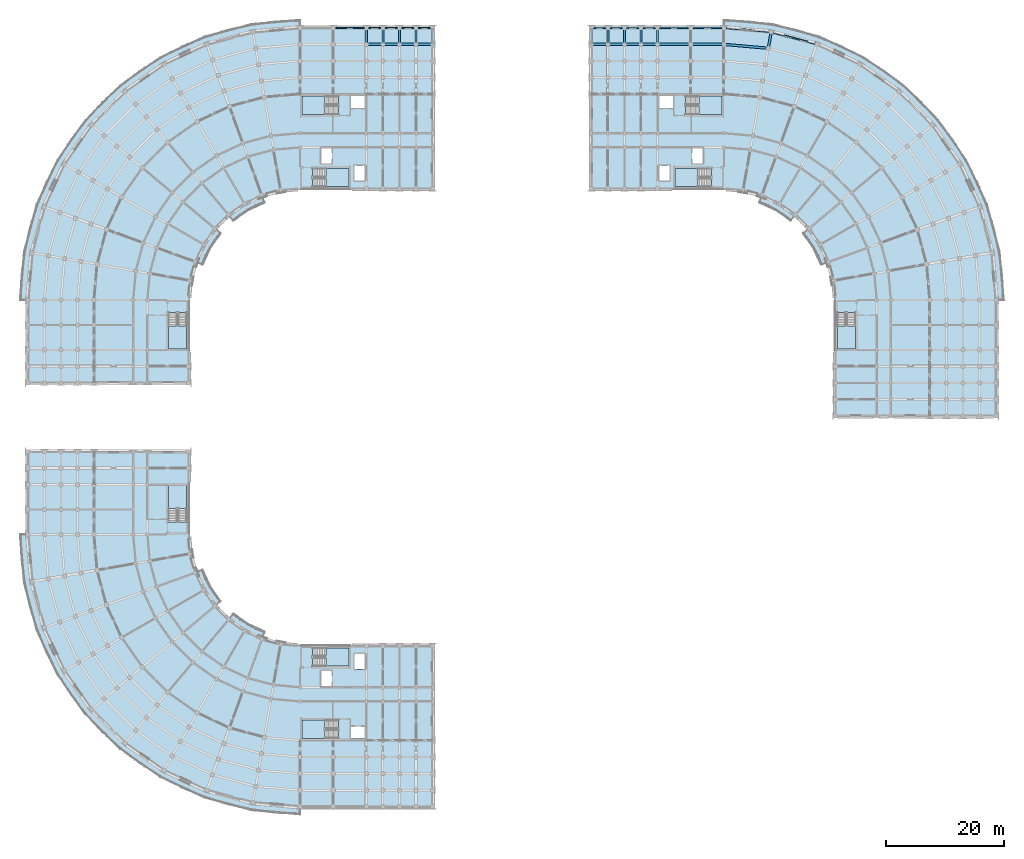
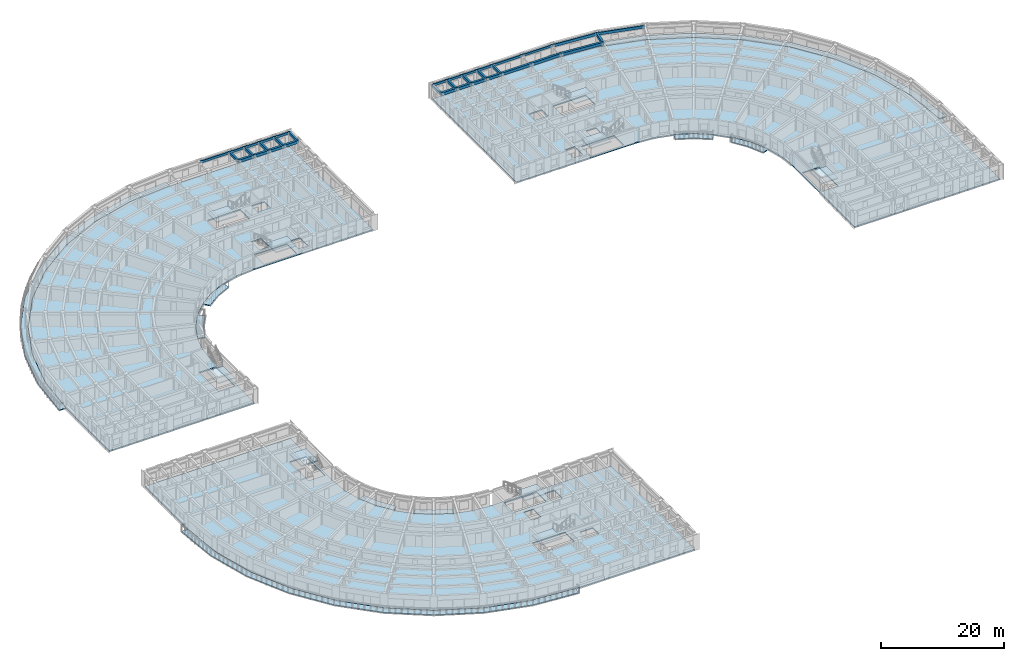
# One storey, part 14 of 57: 35 beams, 21 slabs, 9 elements without a shape of their own.
"""IFC4 building model written with IfcOpenShell, lengths in metres."""

import ifcopenshell
import ifcopenshell.guid

model = None  # the IFC model being written
_history = None  # IfcOwnerHistory: only IFC2X3 demands one
_inside = {}  # id of a spatial element -> (the spatial element, [elements in it])
_under = {}  # id of a project, library or spatial element -> (it, [spatial elements below it])
_declared = {}  # id of a project -> (the project, [libraries it declares])
_typed = {}  # id of a type object -> (the type object, [elements of that type])
_made_of = {}  # id of a material, layer set ... -> (it, [elements and type objects made of it])


def new_model(schema):
    """Start an empty IFC model of exactly this schema.

    Asked for "IFC4X3", IfcOpenShell would pick the latest addendum, in which some entities
    have other attributes; the version numbers below select the first issue.
    IFC2X3 requires an IfcOwnerHistory on every rooted entity: one is made here for all.
    """
    global model, _history
    if schema == "IFC4X3":
        model = ifcopenshell.file(schema_version=(4, 3, 0, 0))
    else:
        model = ifcopenshell.file(schema=schema)
    _inside.clear()
    _under.clear()
    _declared.clear()
    _typed.clear()
    _made_of.clear()
    _history = None
    if model.schema == "IFC2X3":
        org = make("IfcOrganization", Name="unknown")
        user = make(
            "IfcPersonAndOrganization",
            ThePerson=make("IfcPerson", FamilyName="unknown"),
            TheOrganization=org,
        )
        app = make(
            "IfcApplication",
            ApplicationDeveloper=org,
            Version="unknown",
            ApplicationFullName="unknown",
            ApplicationIdentifier="unknown",
        )
        _history = make(
            "IfcOwnerHistory",
            OwningUser=user,
            OwningApplication=app,
            ChangeAction="ADDED",
            CreationDate=0,
        )
    return model


def make(cls, **values):
    """One entity of the class cls with the attributes given. An attribute that is None is left unset."""
    return model.create_entity(
        cls, **{name: value for name, value in values.items() if value is not None}
    )


def rooted(cls, **values):
    """An entity with a GlobalId (a new one), such as an element, a storey or a relation."""
    return make(cls, GlobalId=ifcopenshell.guid.new(), OwnerHistory=_history, **values)


def si_unit(unit_type, name, prefix=None):
    """IfcSIUnit, for example si_unit("LENGTHUNIT", "METRE", prefix="MILLI")."""
    return make("IfcSIUnit", UnitType=unit_type, Prefix=prefix, Name=name)


def assignment(units):
    """IfcUnitAssignment: the units of a project."""
    return None if units is None else make("IfcUnitAssignment", Units=units)


def point(xyz):
    """IfcCartesianPoint."""
    return None if xyz is None else make("IfcCartesianPoint", Coordinates=xyz)


def direction(xyz):
    """IfcDirection."""
    return None if xyz is None else make("IfcDirection", DirectionRatios=xyz)


def frame(location, z_axis=None, x_axis=None):
    """IfcAxis2Placement3D, a coordinate frame: its origin and axes. An axis left out is left unset."""
    return make(
        "IfcAxis2Placement3D",
        Location=point(location),
        Axis=direction(z_axis),
        RefDirection=direction(x_axis),
    )


def frame_2d(location, x_axis=None):
    """IfcAxis2Placement2D, a coordinate frame in the plane: its origin and x axis."""
    return make(
        "IfcAxis2Placement2D", Location=point(location), RefDirection=direction(x_axis)
    )


def origin():
    """The frame at (0, 0, 0) with its axes left unset."""
    return frame((0.0, 0.0, 0.0))


def origin_2d():
    """The frame at (0, 0) in the plane with its x axis left unset."""
    return frame_2d((0.0, 0.0))


def place(relative_to, where):
    """IfcLocalPlacement: puts the frame where relative to a parent placement (None: the world)."""
    return make(
        "IfcLocalPlacement", PlacementRelTo=relative_to, RelativePlacement=where
    )


def context(
    kind, dimensions, precision=None, world=None, true_north=None, identifier=None
):
    """IfcGeometricRepresentationContext, for example the 3D "Model" context."""
    return make(
        "IfcGeometricRepresentationContext",
        ContextIdentifier=identifier,
        ContextType=kind,
        CoordinateSpaceDimension=dimensions,
        Precision=precision,
        WorldCoordinateSystem=world,
        TrueNorth=true_north,
    )


def subcontext(parent, identifier, kind, view, scale=None):
    """IfcGeometricRepresentationSubContext, for example "Body" below "Model"."""
    return make(
        "IfcGeometricRepresentationSubContext",
        ContextIdentifier=identifier,
        ContextType=kind,
        ParentContext=parent,
        TargetScale=scale,
        TargetView=view,
    )


def project(units=None, contexts=None):
    """IfcProject with its units and contexts."""
    return rooted(
        "IfcProject",
        Name="project",
        RepresentationContexts=contexts,
        UnitsInContext=assignment(units),
    )


def spatial(cls, under=None, at=None, **own):
    """A site, building, storey or space (cls), placed at a placement, below another one or the project."""
    s = rooted(cls, ObjectPlacement=at, **own)
    if under is not None:
        _under.setdefault(under.id(), (under, []))[1].append(s)
    return s


def polyline(points):
    """IfcPolyline through the points."""
    return make("IfcPolyline", Points=[point(p) for p in points])


def profile(cls, at=None, kind="AREA", **sizes):
    """A parametric profile (cls). Its sizes go by their IFC names, for example OverallWidth=200.0."""
    return make(cls, ProfileType=kind, Position=at, **sizes)


def rectangle(**sizes):
    """IfcRectangleProfileDef."""
    return profile("IfcRectangleProfileDef", **sizes)


def outline(outer, holes=None, kind="AREA"):
    """IfcArbitraryClosedProfileDef: a profile drawn as a closed curve; with holes, ...WithVoids."""
    if holes is None:
        return make("IfcArbitraryClosedProfileDef", ProfileType=kind, OuterCurve=outer)
    return make(
        "IfcArbitraryProfileDefWithVoids",
        ProfileType=kind,
        OuterCurve=outer,
        InnerCurves=holes,
    )


def extrude(swept, where, along, depth):
    """IfcExtrudedAreaSolid: the profile swept, set in the frame where, extruded along a direction by depth."""
    return make(
        "IfcExtrudedAreaSolid",
        SweptArea=swept,
        Position=where,
        ExtrudedDirection=direction(along),
        Depth=depth,
    )


def shape(context_of_items, identifier, shape_type, items):
    """IfcShapeRepresentation: the items that make up one representation, for example the "Body"."""
    return make(
        "IfcShapeRepresentation",
        ContextOfItems=context_of_items,
        RepresentationIdentifier=identifier,
        RepresentationType=shape_type,
        Items=items,
    )


def material(Name=None, Category=None):
    """IfcMaterial."""
    return make("IfcMaterial", Name=Name, Category=Category)


def layer(
    of_material, thickness, ventilated=None, Name=None, Category=None, Priority=None
):
    """IfcMaterialLayer: one layer of a wall or slab, of a material (None: an air gap)."""
    return make(
        "IfcMaterialLayer",
        Material=of_material,
        LayerThickness=thickness,
        IsVentilated=ventilated,
        Name=Name,
        Category=Category,
        Priority=Priority,
    )


def layer_set(layers, Name=None):
    """IfcMaterialLayerSet."""
    return make("IfcMaterialLayerSet", MaterialLayers=layers, LayerSetName=Name)


def material_profile(
    of_material, cross_section, Name=None, Category=None, Priority=None
):
    """IfcMaterialProfile: a cross section and its material."""
    return make(
        "IfcMaterialProfile",
        Name=Name,
        Material=of_material,
        Profile=cross_section,
        Priority=Priority,
        Category=Category,
    )


def profile_set(profiles, Name=None, composite=None):
    """IfcMaterialProfileSet."""
    return make(
        "IfcMaterialProfileSet",
        Name=Name,
        MaterialProfiles=profiles,
        CompositeProfile=composite,
    )


def made_of(thing, what):
    """Note that an element or type object is made of a material, layer set ...; save() writes the relation."""
    if what is not None:
        _made_of.setdefault(what.id(), (what, []))[1].append(thing)
    return thing


def type_object(cls, material=None, **own):
    """A type object (cls), such as IfcWallType, which elements share."""
    return made_of(rooted(cls, **own), material)


def element(
    cls,
    number,
    at=None,
    inside=None,
    cuts=None,
    type_object=None,
    material=None,
    context=None,
    identifier="Body",
    shape_type=None,
    held_by="IfcProductDefinitionShape",
    body=None,
    shapes=None,
    **own,
):
    """One element of the class cls, such as IfcWall. Its Tag is "e" and its number.

    at: its placement. inside: the storey or other place that contains it. cuts: it is an
    opening in that element (IfcRelVoidsElement). A single representation is given by context,
    identifier, shape_type and body (its items); several are given by shapes. held_by: the class
    of the entity that holds the representations. save() writes the other relations.
    """
    e = rooted(cls, Tag="e%d" % number, ObjectPlacement=at, **own)
    if body is not None:
        shapes = [shape(context, identifier, shape_type, body)]
    if shapes is not None:
        e.Representation = make(held_by, Representations=shapes)
    if inside is not None:
        _inside.setdefault(inside.id(), (inside, []))[1].append(e)
    if cuts is not None:
        rooted(
            "IfcRelVoidsElement", RelatingBuildingElement=cuts, RelatedOpeningElement=e
        )
    if type_object is not None:
        _typed.setdefault(type_object.id(), (type_object, []))[1].append(e)
    return made_of(e, material)


def aggregate(whole, parts):
    """IfcRelAggregates: a whole, such as a stair, and the parts it consists of."""
    return rooted("IfcRelAggregates", RelatingObject=whole, RelatedObjects=parts)


def save(model, path):
    """Write the relations noted so far, then the file.

    IfcRelAggregates (storeys below a building ...), IfcRelContainedInSpatialStructure (elements
    in a storey), IfcRelDefinesByType, IfcRelAssociatesMaterial and IfcRelDeclares: one each for
    every whole, place, type object, material and project.
    """
    for whole, parts in _under.values():
        aggregate(whole, parts)
    for where, things in _inside.values():
        rooted(
            "IfcRelContainedInSpatialStructure",
            RelatedElements=things,
            RelatingStructure=where,
        )
    for kind, things in _typed.values():
        rooted("IfcRelDefinesByType", RelatedObjects=things, RelatingType=kind)
    for what, things in _made_of.values():
        rooted("IfcRelAssociatesMaterial", RelatedObjects=things, RelatingMaterial=what)
    for by, libraries in _declared.values():
        rooted("IfcRelDeclares", RelatingContext=by, RelatedDefinitions=libraries)
    model.write(path)


model = new_model("IFC4")

# Units and contexts
model_context = context("Model", 3, precision=1e-05, world=origin(), true_north=direction((0.0, 1.0)))
body_context = subcontext(model_context, "Body", "Model", "MODEL_VIEW")
ifc_project = project(units=[si_unit("LENGTHUNIT", "METRE"), si_unit("AREAUNIT", "SQUARE_METRE"), si_unit("VOLUMEUNIT", "CUBIC_METRE"), si_unit("PLANEANGLEUNIT", "RADIAN"), si_unit("MASSUNIT", "GRAM", prefix="KILO")], contexts=[model_context])

# Site, building, storey
site_placement = place(None, origin())
site = spatial("IfcSite", under=ifc_project, at=site_placement, CompositionType="ELEMENT")
building_placement = place(site_placement, origin())
building = spatial("IfcBuilding", under=site, at=building_placement, Name="Kiranvali Square Residences", CompositionType="ELEMENT")
storey_placement = place(building_placement, frame((0.0, 0.0, 18.14990234375)))
storey = spatial("IfcBuildingStorey", under=building, at=storey_placement, Name="L05", CompositionType="ELEMENT", Elevation=18.14990234375)

# Beams
ifc_material_1 = material(Name="Concrete M40 (40 MPa)", Category="concrete")
ifc_material_profile_1 = material_profile(ifc_material_1, rectangle(XDim=0.35009765625, YDim=0.550048828125, at=origin_2d()), Name="RC 350x550")
ifc_profile_set_1 = profile_set([ifc_material_profile_1], Name="Concrete M40 (40 MPa)")
beam_type_1 = type_object("IfcBeamType", Name="BM-M40-350x550", PredefinedType="BEAM", material=ifc_profile_set_1)
for number, where, z_axis, x_axis, name in (
    (1, (59.39990234375, 131.0, 2.655029296875), (0.0, 1.0, 0.0), (-1.0, 0.0, 0.0), "L05 beam BM-A-L05-A1T1-67"),
    (2, (62.199951171875, 131.0, 2.655029296875), (0.0, 1.0, 0.0), (-1.0, 0.0, 0.0), "L05 beam BM-A-L05-A1T2-67"),
    (3, (65.0, 131.0, 2.655029296875), (0.0, 1.0, 0.0), (-1.0, 0.0, 0.0), "L05 beam BM-A-L05-A1T3-67"),
    (4, (67.800048828125, 131.0, 2.655029296875), (0.0, 1.0, 0.0), (-1.0, 0.0, 0.0), "L05 beam BM-A-L05-A1T4-67"),
    (5, (70.60009765625, 131.0, 2.655029296875), (0.0, 1.0, 0.0), (-1.0, 0.0, 0.0), "L05 beam BM-A-L05-A1T5-67"),
    (6, (108.60009765625, 131.0, 2.655029296875), (0.0, 1.0, 0.0), (-1.0, 0.0, 0.0), "L05 beam BM-B-L05-A1T1-67"),
    (7, (105.800048828125, 131.0, 2.655029296875), (0.0, 1.0, 0.0), (-1.0, 0.0, 0.0), "L05 beam BM-B-L05-A1T2-67"),
    (8, (103.0, 131.0, 2.655029296875), (0.0, 1.0, 0.0), (-1.0, 0.0, 0.0), "L05 beam BM-B-L05-A1T3-67"),
    (9, (100.199951171875, 131.0, 2.655029296875), (0.0, 1.0, 0.0), (-1.0, 0.0, 0.0), "L05 beam BM-B-L05-A1T4-67"),
    (10, (97.39990234375, 131.0, 2.655029296875), (0.0, 1.0, 0.0), (-1.0, 0.0, 0.0), "L05 beam BM-B-L05-A1T5-67"),
):
    element("IfcBeam", number, at=place(storey_placement, frame(where, z_axis=z_axis, x_axis=x_axis)), inside=storey, type_object=beam_type_1, Name=name, PredefinedType="BEAM", context=body_context, shape_type="SweptSolid", body=[
        extrude(rectangle(XDim=0.35009765625, YDim=0.550048828125, at=origin_2d()), origin(), (0.0, 0.0, 1.0), 2.800048828125),
    ])
ifc_material_2 = material(Name="Concrete M45 (45 MPa)", Category="concrete")
ifc_material_profile_2 = material_profile(ifc_material_2, rectangle(XDim=0.39990234375, YDim=0.550048828125, at=origin_2d()), Name="RC 400x550")
ifc_profile_set_2 = profile_set([ifc_material_profile_2], Name="Concrete M45 (45 MPa)")
beam_type_2 = type_object("IfcBeamType", Name="BM-M45-400x550", PredefinedType="BEAM", material=ifc_profile_set_2)
for number, where, z_axis, x_axis, name in (
    (11, (59.39990234375, 131.0, 2.655029296875), (1.0, 0.0, 0.0), (0.0, 1.0, 0.0), "L05 beam BM-A-L05-A1U2-R6"),
    (12, (62.199951171875, 131.0, 2.655029296875), (1.0, 0.0, 0.0), (0.0, 1.0, 0.0), "L05 beam BM-A-L05-A1U3-R6"),
    (13, (65.0, 131.0, 2.655029296875), (1.0, 0.0, 0.0), (0.0, 1.0, 0.0), "L05 beam BM-A-L05-A1U4-R6"),
    (14, (67.800048828125, 131.0, 2.655029296875), (1.0, 0.0, 0.0), (0.0, 1.0, 0.0), "L05 beam BM-A-L05-A1U5-R6"),
):
    element("IfcBeam", number, at=place(storey_placement, frame(where, z_axis=z_axis, x_axis=x_axis)), inside=storey, type_object=beam_type_2, Name=name, PredefinedType="BEAM", context=body_context, shape_type="SweptSolid", body=[
        extrude(rectangle(XDim=0.39990234375, YDim=0.550048828125, at=origin_2d()), origin(), (0.0, 0.0, 1.0), 2.800048828125),
    ])
beam_1_placement = place(storey_placement, frame((119.800048828125, 131.0, 2.655029296875), z_axis=(0.996195195417, -0.087150058103, 0.0), x_axis=(0.087150058103, 0.996195195417, 0.0)))
element("IfcBeam", 15, at=beam_1_placement, inside=storey, type_object=beam_type_2, Name="L05 beam BM-B-L05-C00-R6", PredefinedType="BEAM", context=body_context, shape_type="SweptSolid", body=[
    extrude(rectangle(XDim=0.39990234375, YDim=0.550048828125, at=origin_2d()), origin(), (0.0, 0.0, 1.0), 7.530029296875),
])
beam_2_placement = place(storey_placement, frame((127.301513671875, 130.34375, 2.655029296875), z_axis=(0.173695795656, 0.984799355489, 0.0), x_axis=(-0.984799355489, 0.173695795656, 0.0)))
element("IfcBeam", 16, at=beam_2_placement, inside=storey, type_object=beam_type_2, Name="L05 beam BM-B-L05-RAD01-67", PredefinedType="BEAM", context=body_context, shape_type="SweptSolid", body=[
    extrude(rectangle(XDim=0.39990234375, YDim=0.550048828125, at=origin_2d()), origin(), (0.0, 0.0, 1.0), 2.7998046875),
])
beam_3_placement = place(storey_placement, frame((119.800048828125, 131.0, 2.655029296875), z_axis=(-1.0, 0.0, 0.0), x_axis=(0.0, -1.0, 0.0)))
element("IfcBeam", 17, at=beam_3_placement, inside=storey, type_object=beam_type_2, Name="L05 beam BM-B-L05-A1U0-R6", PredefinedType="BEAM", context=body_context, shape_type="SweptSolid", body=[
    extrude(rectangle(XDim=0.39990234375, YDim=0.550048828125, at=origin_2d()), origin(), (0.0, 0.0, 1.0), 5.60009765625),
])
beam_4_placement = place(storey_placement, frame((114.199951171875, 131.0, 2.655029296875), z_axis=(-1.0, 0.0, 0.0), x_axis=(0.0, -1.0, 0.0)))
element("IfcBeam", 18, at=beam_4_placement, inside=storey, type_object=beam_type_2, Name="L05 beam BM-B-L05-A1U1-R6", PredefinedType="BEAM", context=body_context, shape_type="SweptSolid", body=[
    extrude(rectangle(XDim=0.39990234375, YDim=0.550048828125, at=origin_2d()), origin(), (0.0, 0.0, 1.0), 5.599853515625),
])
for number, where, z_axis, x_axis, name in (
    (19, (108.60009765625, 131.0, 2.655029296875), (-1.0, 0.0, 0.0), (0.0, -1.0, 0.0), "L05 beam BM-B-L05-A1U2-R6"),
    (20, (105.800048828125, 131.0, 2.655029296875), (-1.0, 0.0, 0.0), (0.0, -1.0, 0.0), "L05 beam BM-B-L05-A1U3-R6"),
    (21, (103.0, 131.0, 2.655029296875), (-1.0, 0.0, 0.0), (0.0, -1.0, 0.0), "L05 beam BM-B-L05-A1U4-R6"),
    (22, (100.199951171875, 131.0, 2.655029296875), (-1.0, 0.0, 0.0), (0.0, -1.0, 0.0), "L05 beam BM-B-L05-A1U5-R6"),
):
    element("IfcBeam", number, at=place(storey_placement, frame(where, z_axis=z_axis, x_axis=x_axis)), inside=storey, type_object=beam_type_2, Name=name, PredefinedType="BEAM", context=body_context, shape_type="SweptSolid", body=[
        extrude(rectangle(XDim=0.39990234375, YDim=0.550048828125, at=origin_2d()), origin(), (0.0, 0.0, 1.0), 2.800048828125),
    ])
ifc_material_profile_3 = material_profile(ifc_material_1, rectangle(XDim=0.25, YDim=0.449951171875, at=origin_2d()), Name="RC 250x450")
ifc_profile_set_3 = profile_set([ifc_material_profile_3], Name="Concrete M40 (40 MPa)")
beam_type_3 = type_object("IfcBeamType", Name="SPN-M40-250x450", PredefinedType="SPANDREL", material=ifc_profile_set_3)
beam_5_placement = place(storey_placement, frame((53.800048828125, 133.800048828125, 2.705078125), z_axis=(1.0, 0.0, 0.0), x_axis=(0.0, 1.0, 0.0)))
element("IfcBeam", 23, at=beam_5_placement, inside=storey, type_object=beam_type_3, Name="L05 beam BM-A-L05-A1U1-R7", PredefinedType="SPANDREL", context=body_context, shape_type="SweptSolid", body=[
    extrude(rectangle(XDim=0.25, YDim=0.449951171875, at=origin_2d()), origin(), (0.0, 0.0, 1.0), 5.599853515625),
])
for number, where, z_axis, x_axis, name in (
    (24, (59.39990234375, 133.800048828125, 2.705078125), (1.0, 0.0, 0.0), (0.0, 1.0, 0.0), "L05 beam BM-A-L05-A1U2-R7"),
    (25, (62.199951171875, 133.800048828125, 2.705078125), (1.0, 0.0, 0.0), (0.0, 1.0, 0.0), "L05 beam BM-A-L05-A1U3-R7"),
    (26, (65.0, 133.800048828125, 2.705078125), (1.0, 0.0, 0.0), (0.0, 1.0, 0.0), "L05 beam BM-A-L05-A1U4-R7"),
    (27, (67.800048828125, 133.800048828125, 2.705078125), (1.0, 0.0, 0.0), (0.0, 1.0, 0.0), "L05 beam BM-A-L05-A1U5-R7"),
):
    element("IfcBeam", number, at=place(storey_placement, frame(where, z_axis=z_axis, x_axis=x_axis)), inside=storey, type_object=beam_type_3, Name=name, PredefinedType="SPANDREL", context=body_context, shape_type="SweptSolid", body=[
        extrude(rectangle(XDim=0.25, YDim=0.449951171875, at=origin_2d()), origin(), (0.0, 0.0, 1.0), 2.800048828125),
    ])
beam_6_placement = place(storey_placement, frame((119.800048828125, 133.800048828125, 2.705078125), z_axis=(-1.0, 0.0, 0.0), x_axis=(0.0, -1.0, 0.0)))
element("IfcBeam", 28, at=beam_6_placement, inside=storey, type_object=beam_type_3, Name="L05 beam BM-B-L05-A1U0-R7", PredefinedType="SPANDREL", context=body_context, shape_type="SweptSolid", body=[
    extrude(rectangle(XDim=0.25, YDim=0.449951171875, at=origin_2d()), origin(), (0.0, 0.0, 1.0), 5.60009765625),
])
beam_7_placement = place(storey_placement, frame((114.199951171875, 133.800048828125, 2.705078125), z_axis=(-1.0, 0.0, 0.0), x_axis=(0.0, -1.0, 0.0)))
element("IfcBeam", 29, at=beam_7_placement, inside=storey, type_object=beam_type_3, Name="L05 beam BM-B-L05-A1U1-R7", PredefinedType="SPANDREL", context=body_context, shape_type="SweptSolid", body=[
    extrude(rectangle(XDim=0.25, YDim=0.449951171875, at=origin_2d()), origin(), (0.0, 0.0, 1.0), 5.599853515625),
])
for number, where, z_axis, x_axis, name in (
    (30, (108.60009765625, 133.800048828125, 2.705078125), (-1.0, 0.0, 0.0), (0.0, -1.0, 0.0), "L05 beam BM-B-L05-A1U2-R7"),
    (31, (105.800048828125, 133.800048828125, 2.705078125), (-1.0, 0.0, 0.0), (0.0, -1.0, 0.0), "L05 beam BM-B-L05-A1U3-R7"),
    (32, (103.0, 133.800048828125, 2.705078125), (-1.0, 0.0, 0.0), (0.0, -1.0, 0.0), "L05 beam BM-B-L05-A1U4-R7"),
    (33, (100.199951171875, 133.800048828125, 2.705078125), (-1.0, 0.0, 0.0), (0.0, -1.0, 0.0), "L05 beam BM-B-L05-A1U5-R7"),
):
    element("IfcBeam", number, at=place(storey_placement, frame(where, z_axis=z_axis, x_axis=x_axis)), inside=storey, type_object=beam_type_3, Name=name, PredefinedType="SPANDREL", context=body_context, shape_type="SweptSolid", body=[
        extrude(rectangle(XDim=0.25, YDim=0.449951171875, at=origin_2d()), origin(), (0.0, 0.0, 1.0), 2.800048828125),
    ])
ifc_material_profile_4 = material_profile(ifc_material_1, rectangle(XDim=0.25, YDim=0.550048828125, at=origin_2d()), Name="RC 250x550")
ifc_profile_set_4 = profile_set([ifc_material_profile_4], Name="Concrete M40 (40 MPa)")
beam_type_4 = type_object("IfcBeamType", Name="SPN-M40-250x550", PredefinedType="SPANDREL", material=ifc_profile_set_4)
for number, where, z_axis, x_axis, name in (
    (34, (119.800048828125, 133.800048828125, 2.655029296875), (0.996193254792, -0.087172238171, 0.0), (0.087172238171, 0.996193254792, 0.0), "L05 beam BM-B-L05-C00-R7"),
    (35, (127.787841796875, 133.10107421875, 2.655029296875), (0.96592902462, -0.258807108475, 0.0), (0.258807108475, 0.96592902462, 0.0), "L05 beam BM-B-L05-C01-R7"),
):
    element("IfcBeam", number, at=place(storey_placement, frame(where, z_axis=z_axis, x_axis=x_axis)), inside=storey, type_object=beam_type_4, Name=name, PredefinedType="SPANDREL", context=body_context, shape_type="SweptSolid", body=[
        extrude(rectangle(XDim=0.25, YDim=0.550048828125, at=origin_2d()), origin(), (0.0, 0.0, 1.0), 8.018310546875),
    ])

# Slabs
ifc_material_3 = material(Name="Concrete M35 (35 MPa)", Category="concrete")
ifc_layer_1 = layer(ifc_material_3, 0.179931640625)
ifc_layer_set_1 = layer_set([ifc_layer_1], Name="Concrete M35 (35 MPa)")
slab_type_1 = type_object("IfcSlabType", Name="SLB-BAL-180", PredefinedType="FLOOR", material=ifc_layer_set_1)
slab_1_placement = place(storey_placement, frame((0.0, 0.0, -0.179931640625)))
element("IfcSlab", 36, at=slab_1_placement, inside=storey, type_object=slab_type_1, Name="Block A L05 continuous curved corner balcony slab", PredefinedType="FLOOR", context=body_context, shape_type="SweptSolid", body=[
    extrude(outline(polyline([(48.199951171875, 135.050048828125), (39.9951171875, 134.332275390625), (32.03955078125, 132.200439453125), (24.574951171875, 128.7197265625), (17.828369140625, 123.99560546875), (12.00439453125, 118.171630859375), (7.2802734375, 111.425048828125), (3.799560546875, 103.96044921875), (1.667724609375, 96.0048828125), (0.949951171875, 87.800048828125), (2.199951171875, 87.800048828125), (2.89892578125, 95.787841796875), (4.97412109375, 103.532958984375), (8.36279296875, 110.800048828125), (12.9619140625, 117.3681640625), (18.6318359375, 123.0380859375), (25.199951171875, 127.63720703125), (32.467041015625, 131.02587890625), (40.212158203125, 133.10107421875), (48.199951171875, 133.800048828125), (48.199951171875, 135.050048828125)])), origin(), (0.0, 0.0, 1.0), 0.179931640625),
])
slab_2_placement = place(storey_placement, frame((0.0, 0.0, -0.179931640625)))
element("IfcSlab", 37, at=slab_2_placement, inside=storey, type_object=slab_type_1, Name="Block B L05 continuous curved corner balcony slab", PredefinedType="FLOOR", context=body_context, shape_type="SweptSolid", body=[
    extrude(outline(polyline([(119.800048828125, 133.800048828125), (127.787841796875, 133.10107421875), (135.532958984375, 131.02587890625), (142.800048828125, 127.63720703125), (149.3681640625, 123.0380859375), (155.0380859375, 117.3681640625), (159.63720703125, 110.800048828125), (163.02587890625, 103.532958984375), (165.10107421875, 95.787841796875), (165.800048828125, 87.800048828125), (167.050048828125, 87.800048828125), (166.332275390625, 96.0048828125), (164.200439453125, 103.96044921875), (160.7197265625, 111.425048828125), (155.99560546875, 118.171630859375), (150.171630859375, 123.99560546875), (143.425048828125, 128.7197265625), (135.96044921875, 132.200439453125), (128.0048828125, 134.332275390625), (119.800048828125, 135.050048828125), (119.800048828125, 133.800048828125)])), origin(), (0.0, 0.0, 1.0), 0.179931640625),
])
slab_3_placement = place(storey_placement, frame((0.0, 0.0, -0.179931640625)))
element("IfcSlab", 38, at=slab_3_placement, inside=storey, type_object=slab_type_1, Name="Block C L05 continuous curved corner balcony slab", PredefinedType="FLOOR", context=body_context, shape_type="SweptSolid", body=[
    extrude(outline(polyline([(48.199951171875, 2.199951171875), (40.212158203125, 2.89892578125), (32.467041015625, 4.97412109375), (25.199951171875, 8.36279296875), (18.6318359375, 12.9619140625), (12.9619140625, 18.6318359375), (8.36279296875, 25.199951171875), (4.97412109375, 32.467041015625), (2.89892578125, 40.212158203125), (2.199951171875, 48.199951171875), (0.949951171875, 48.199951171875), (1.667724609375, 39.9951171875), (3.799560546875, 32.03955078125), (7.2802734375, 24.574951171875), (12.00439453125, 17.828369140625), (17.828369140625, 12.00439453125), (24.574951171875, 7.2802734375), (32.03955078125, 3.799560546875), (39.9951171875, 1.667724609375), (48.199951171875, 0.949951171875), (48.199951171875, 2.199951171875)])), origin(), (0.0, 0.0, 1.0), 0.179931640625),
])
ifc_layer_2 = layer(ifc_material_3, 0.219970703125)
ifc_layer_set_2 = layer_set([ifc_layer_2], Name="Concrete M35 (35 MPa)")
slab_type_2 = type_object("IfcSlabType", Name="SLB-FLR-220", PredefinedType="FLOOR", material=ifc_layer_set_2)
slab_4_placement = place(storey_placement, frame((0.0, 0.0, -0.219970703125)))
element("IfcSlab", 39, at=slab_4_placement, inside=storey, type_object=slab_type_2, Name="Block A L05 structural floor slab", PredefinedType="FLOOR", context=body_context, shape_type="SweptSolid", body=[
    extrude(outline(polyline([(70.60009765625, 106.60009765625), (70.60009765625, 133.800048828125), (48.199951171875, 133.800048828125), (40.212158203125, 133.10107421875), (32.467041015625, 131.02587890625), (25.199951171875, 127.63720703125), (18.6318359375, 123.0380859375), (12.9619140625, 117.3681640625), (8.36279296875, 110.800048828125), (4.97412109375, 103.532958984375), (2.89892578125, 95.787841796875), (2.199951171875, 87.800048828125), (2.199951171875, 73.800048828125), (29.39990234375, 73.800048828125), (29.39990234375, 87.800048828125), (29.685546875, 91.064697265625), (30.53369140625, 94.22998046875), (31.918701171875, 97.199951171875), (33.79833984375, 99.884521484375), (36.115478515625, 102.20166015625), (38.800048828125, 104.081298828125), (41.77001953125, 105.46630859375), (44.935302734375, 106.314453125), (48.199951171875, 106.60009765625), (70.60009765625, 106.60009765625)]), holes=[polyline([(56.800048828125, 120.25), (59.25, 120.25), (59.25, 122.25), (56.800048828125, 122.25), (56.800048828125, 120.25)]), polyline([(57.35009765625, 107.949951171875), (59.14990234375, 107.949951171875), (59.14990234375, 110.550048828125), (57.35009765625, 110.550048828125), (57.35009765625, 107.949951171875)]), polyline([(51.75, 110.85009765625), (53.550048828125, 110.85009765625), (53.550048828125, 113.449951171875), (51.75, 113.449951171875), (51.75, 110.85009765625)]), polyline([(54.699951171875, 122.25), (48.550048828125, 122.25), (48.550048828125, 119.14990234375), (54.699951171875, 119.14990234375), (54.699951171875, 122.25)]), polyline([(50.300048828125, 106.949951171875), (56.449951171875, 106.949951171875), (56.449951171875, 110.050048828125), (50.300048828125, 110.050048828125), (50.300048828125, 106.949951171875)]), polyline([(25.949951171875, 85.699951171875), (25.949951171875, 79.550048828125), (29.050048828125, 79.550048828125), (29.050048828125, 85.699951171875), (25.949951171875, 85.699951171875)])]), origin(), (0.0, 0.0, 1.0), 0.219970703125),
])
slab_5_placement = place(storey_placement, frame((0.0, 0.0, -0.219970703125)))
element("IfcSlab", 40, at=slab_5_placement, inside=storey, type_object=slab_type_2, Name="Block B L05 structural floor slab", PredefinedType="FLOOR", context=body_context, shape_type="SweptSolid", body=[
    extrude(outline(polyline([(119.800048828125, 106.60009765625), (123.064697265625, 106.314453125), (126.22998046875, 105.46630859375), (129.199951171875, 104.081298828125), (131.884521484375, 102.20166015625), (134.20166015625, 99.884521484375), (136.081298828125, 97.199951171875), (137.46630859375, 94.22998046875), (138.314453125, 91.064697265625), (138.60009765625, 87.800048828125), (138.60009765625, 68.199951171875), (165.800048828125, 68.199951171875), (165.800048828125, 87.800048828125), (165.10107421875, 95.787841796875), (163.02587890625, 103.532958984375), (159.63720703125, 110.800048828125), (155.0380859375, 117.3681640625), (149.3681640625, 123.0380859375), (142.800048828125, 127.63720703125), (135.532958984375, 131.02587890625), (127.787841796875, 133.10107421875), (119.800048828125, 133.800048828125), (97.39990234375, 133.800048828125), (97.39990234375, 106.60009765625), (119.800048828125, 106.60009765625)]), holes=[polyline([(108.75, 120.25), (111.199951171875, 120.25), (111.199951171875, 122.25), (108.75, 122.25), (108.75, 120.25)]), polyline([(108.85009765625, 107.949951171875), (110.64990234375, 107.949951171875), (110.64990234375, 110.550048828125), (108.85009765625, 110.550048828125), (108.85009765625, 107.949951171875)]), polyline([(114.449951171875, 110.85009765625), (116.25, 110.85009765625), (116.25, 113.449951171875), (114.449951171875, 113.449951171875), (114.449951171875, 110.85009765625)]), polyline([(113.300048828125, 119.14990234375), (119.449951171875, 119.14990234375), (119.449951171875, 122.25), (113.300048828125, 122.25), (113.300048828125, 119.14990234375)]), polyline([(117.699951171875, 110.050048828125), (111.550048828125, 110.050048828125), (111.550048828125, 106.949951171875), (117.699951171875, 106.949951171875), (117.699951171875, 110.050048828125)]), polyline([(138.949951171875, 85.699951171875), (138.949951171875, 79.550048828125), (142.050048828125, 79.550048828125), (142.050048828125, 85.699951171875), (138.949951171875, 85.699951171875)])]), origin(), (0.0, 0.0, 1.0), 0.219970703125),
])
slab_6_placement = place(storey_placement, frame((0.0, 0.0, -0.219970703125)))
element("IfcSlab", 41, at=slab_6_placement, inside=storey, type_object=slab_type_2, Name="Block C L05 structural floor slab", PredefinedType="FLOOR", context=body_context, shape_type="SweptSolid", body=[
    extrude(outline(polyline([(48.199951171875, 29.39990234375), (44.935302734375, 29.685546875), (41.77001953125, 30.53369140625), (38.800048828125, 31.918701171875), (36.115478515625, 33.79833984375), (33.79833984375, 36.115478515625), (31.918701171875, 38.800048828125), (30.53369140625, 41.77001953125), (29.685546875, 44.935302734375), (29.39990234375, 48.199951171875), (29.39990234375, 62.199951171875), (2.199951171875, 62.199951171875), (2.199951171875, 48.199951171875), (2.89892578125, 40.212158203125), (4.97412109375, 32.467041015625), (8.36279296875, 25.199951171875), (12.9619140625, 18.6318359375), (18.6318359375, 12.9619140625), (25.199951171875, 8.36279296875), (32.467041015625, 4.97412109375), (40.212158203125, 2.89892578125), (48.199951171875, 2.199951171875), (70.60009765625, 2.199951171875), (70.60009765625, 29.39990234375), (48.199951171875, 29.39990234375)]), holes=[polyline([(56.800048828125, 13.75), (59.25, 13.75), (59.25, 15.75), (56.800048828125, 15.75), (56.800048828125, 13.75)]), polyline([(57.35009765625, 25.449951171875), (59.14990234375, 25.449951171875), (59.14990234375, 28.050048828125), (57.35009765625, 28.050048828125), (57.35009765625, 25.449951171875)]), polyline([(51.75, 22.550048828125), (53.550048828125, 22.550048828125), (53.550048828125, 25.14990234375), (51.75, 25.14990234375), (51.75, 22.550048828125)]), polyline([(54.699951171875, 16.85009765625), (48.550048828125, 16.85009765625), (48.550048828125, 13.75), (54.699951171875, 13.75), (54.699951171875, 16.85009765625)]), polyline([(50.300048828125, 25.949951171875), (56.449951171875, 25.949951171875), (56.449951171875, 29.050048828125), (50.300048828125, 29.050048828125), (50.300048828125, 25.949951171875)]), polyline([(29.050048828125, 50.300048828125), (29.050048828125, 56.449951171875), (25.949951171875, 56.449951171875), (25.949951171875, 50.300048828125), (29.050048828125, 50.300048828125)])]), origin(), (0.0, 0.0, 1.0), 0.219970703125),
])
ifc_layer_3 = layer(ifc_material_3, 0.169921875)
ifc_layer_set_3 = layer_set([ifc_layer_3], Name="Concrete M35 (35 MPa)")
slab_type_3 = type_object("IfcSlabType", Name="SLB-GBAL-170", PredefinedType="FLOOR", material=ifc_layer_set_3)
slab_7_placement = place(storey_placement, frame((0.0, 0.0, -0.179931640625)))
element("IfcSlab", 42, at=slab_7_placement, inside=storey, type_object=slab_type_3, Name="Block A L05 garden balcony slab 1", PredefinedType="FLOOR", context=body_context, shape_type="SweptSolid", body=[
    extrude(outline(polyline([(41.77001953125, 105.46630859375), (38.800048828125, 104.081298828125), (36.115478515625, 102.20166015625), (36.919189453125, 101.244140625), (39.425048828125, 102.998779296875), (42.197509765625, 104.29150390625), (41.77001953125, 105.46630859375)])), origin(), (0.0, 0.0, 1.0), 0.179931640625),
])
slab_8_placement = place(storey_placement, frame((0.0, 0.0, -0.179931640625)))
element("IfcSlab", 43, at=slab_8_placement, inside=storey, type_object=slab_type_3, Name="Block A L05 garden balcony slab 2", PredefinedType="FLOOR", context=body_context, shape_type="SweptSolid", body=[
    extrude(outline(polyline([(33.79833984375, 99.884521484375), (31.918701171875, 97.199951171875), (30.53369140625, 94.22998046875), (31.70849609375, 93.802490234375), (33.001220703125, 96.574951171875), (34.755859375, 99.080810546875), (33.79833984375, 99.884521484375)])), origin(), (0.0, 0.0, 1.0), 0.179931640625),
])
slab_9_placement = place(storey_placement, frame((0.0, 0.0, -0.179931640625)))
element("IfcSlab", 44, at=slab_9_placement, inside=storey, type_object=slab_type_3, Name="Block B L05 garden balcony slab 1", PredefinedType="FLOOR", context=body_context, shape_type="SweptSolid", body=[
    extrude(outline(polyline([(125.802490234375, 104.29150390625), (128.574951171875, 102.998779296875), (131.080810546875, 101.244140625), (131.884521484375, 102.20166015625), (129.199951171875, 104.081298828125), (126.22998046875, 105.46630859375), (125.802490234375, 104.29150390625)])), origin(), (0.0, 0.0, 1.0), 0.179931640625),
])
slab_10_placement = place(storey_placement, frame((0.0, 0.0, -0.179931640625)))
element("IfcSlab", 45, at=slab_10_placement, inside=storey, type_object=slab_type_3, Name="Block B L05 garden balcony slab 2", PredefinedType="FLOOR", context=body_context, shape_type="SweptSolid", body=[
    extrude(outline(polyline([(133.244140625, 99.080810546875), (134.998779296875, 96.574951171875), (136.29150390625, 93.802490234375), (137.46630859375, 94.22998046875), (136.081298828125, 97.199951171875), (134.20166015625, 99.884521484375), (133.244140625, 99.080810546875)])), origin(), (0.0, 0.0, 1.0), 0.179931640625),
])
slab_11_placement = place(storey_placement, frame((0.0, 0.0, -0.179931640625)))
element("IfcSlab", 46, at=slab_11_placement, inside=storey, type_object=slab_type_3, Name="Block C L05 garden balcony slab 1", PredefinedType="FLOOR", context=body_context, shape_type="SweptSolid", body=[
    extrude(outline(polyline([(42.197509765625, 31.70849609375), (39.425048828125, 33.001220703125), (36.919189453125, 34.755859375), (36.115478515625, 33.79833984375), (38.800048828125, 31.918701171875), (41.77001953125, 30.53369140625), (42.197509765625, 31.70849609375)])), origin(), (0.0, 0.0, 1.0), 0.179931640625),
])
slab_12_placement = place(storey_placement, frame((0.0, 0.0, -0.179931640625)))
element("IfcSlab", 47, at=slab_12_placement, inside=storey, type_object=slab_type_3, Name="Block C L05 garden balcony slab 2", PredefinedType="FLOOR", context=body_context, shape_type="SweptSolid", body=[
    extrude(outline(polyline([(34.755859375, 36.919189453125), (33.001220703125, 39.425048828125), (31.70849609375, 42.197509765625), (30.53369140625, 41.77001953125), (31.918701171875, 38.800048828125), (33.79833984375, 36.115478515625), (34.755859375, 36.919189453125)])), origin(), (0.0, 0.0, 1.0), 0.179931640625),
])

# Stair, slab
stair_type = type_object("IfcStairType", Name="ST-CORE-1700", PredefinedType="HALF_TURN_STAIR", material=ifc_material_3)
stair_1_placement = place(storey_placement, origin())
stair_1 = element("IfcStair", 48, at=stair_1_placement, inside=storey, type_object=stair_type, Name="L05 Block A Firefighting Exit Stair 1", PredefinedType="HALF_TURN_STAIR")
ifc_layer_4 = layer(ifc_material_3, 0.199951171875)
ifc_layer_set_4 = layer_set([ifc_layer_4], Name="Concrete M35 (35 MPa)")
slab_type_4 = type_object("IfcSlabType", Name="SLB-LND-200", PredefinedType="LANDING", material=ifc_layer_set_4)
slab_13_placement = place(storey_placement, frame((0.0, 0.0, 1.375)))
slab_13 = element("IfcSlab", 49, at=slab_13_placement, type_object=slab_type_4, Name="ST-A1 landing 1", PredefinedType="LANDING", context=body_context, shape_type="SweptSolid", body=[
    extrude(outline(polyline([(52.419921875, 122.25), (48.550048828125, 122.25), (48.550048828125, 119.14990234375), (52.419921875, 119.14990234375), (52.419921875, 122.25)])), origin(), (0.0, 0.0, 1.0), 0.2001953125),
])
aggregate(stair_1, [slab_13])

stair_2_placement = place(storey_placement, origin())
stair_2 = element("IfcStair", 50, at=stair_2_placement, inside=storey, type_object=stair_type, Name="L05 Block A Protected Exit Stair 2", PredefinedType="HALF_TURN_STAIR")
slab_14_placement = place(storey_placement, frame((0.0, 0.0, 1.375)))
slab_14 = element("IfcSlab", 51, at=slab_14_placement, type_object=slab_type_4, Name="ST-A2 landing 1", PredefinedType="LANDING", context=body_context, shape_type="SweptSolid", body=[
    extrude(outline(polyline([(52.580078125, 106.949951171875), (56.449951171875, 106.949951171875), (56.449951171875, 110.050048828125), (52.580078125, 110.050048828125), (52.580078125, 106.949951171875)])), origin(), (0.0, 0.0, 1.0), 0.2001953125),
])
aggregate(stair_2, [slab_14])

stair_3_placement = place(storey_placement, origin())
stair_3 = element("IfcStair", 52, at=stair_3_placement, inside=storey, type_object=stair_type, Name="L05 Block A Wing Protected Exit Stair 3", PredefinedType="HALF_TURN_STAIR")
slab_15_placement = place(storey_placement, frame((0.0, 0.0, 1.375)))
slab_15 = element("IfcSlab", 53, at=slab_15_placement, type_object=slab_type_4, Name="ST-A3 landing 1", PredefinedType="LANDING", context=body_context, shape_type="SweptSolid", body=[
    extrude(outline(polyline([(25.949951171875, 83.419921875), (25.949951171875, 79.550048828125), (29.050048828125, 79.550048828125), (29.050048828125, 83.419921875), (25.949951171875, 83.419921875)])), origin(), (0.0, 0.0, 1.0), 0.2001953125),
])
aggregate(stair_3, [slab_15])

stair_4_placement = place(storey_placement, origin())
stair_4 = element("IfcStair", 54, at=stair_4_placement, inside=storey, type_object=stair_type, Name="L05 Block B Firefighting Exit Stair 1", PredefinedType="HALF_TURN_STAIR")
slab_16_placement = place(storey_placement, frame((0.0, 0.0, 1.375)))
slab_16 = element("IfcSlab", 55, at=slab_16_placement, type_object=slab_type_4, Name="ST-B1 landing 1", PredefinedType="LANDING", context=body_context, shape_type="SweptSolid", body=[
    extrude(outline(polyline([(115.580078125, 119.14990234375), (119.449951171875, 119.14990234375), (119.449951171875, 122.25), (115.580078125, 122.25), (115.580078125, 119.14990234375)])), origin(), (0.0, 0.0, 1.0), 0.2001953125),
])
aggregate(stair_4, [slab_16])

stair_5_placement = place(storey_placement, origin())
stair_5 = element("IfcStair", 56, at=stair_5_placement, inside=storey, type_object=stair_type, Name="L05 Block B Protected Exit Stair 2", PredefinedType="HALF_TURN_STAIR")
slab_17_placement = place(storey_placement, frame((0.0, 0.0, 1.375)))
slab_17 = element("IfcSlab", 57, at=slab_17_placement, type_object=slab_type_4, Name="ST-B2 landing 1", PredefinedType="LANDING", context=body_context, shape_type="SweptSolid", body=[
    extrude(outline(polyline([(115.419921875, 110.050048828125), (111.550048828125, 110.050048828125), (111.550048828125, 106.949951171875), (115.419921875, 106.949951171875), (115.419921875, 110.050048828125)])), origin(), (0.0, 0.0, 1.0), 0.2001953125),
])
aggregate(stair_5, [slab_17])

stair_6_placement = place(storey_placement, origin())
stair_6 = element("IfcStair", 58, at=stair_6_placement, inside=storey, type_object=stair_type, Name="L05 Block B Wing Protected Exit Stair 3", PredefinedType="HALF_TURN_STAIR")
slab_18_placement = place(storey_placement, frame((0.0, 0.0, 1.375)))
slab_18 = element("IfcSlab", 59, at=slab_18_placement, type_object=slab_type_4, Name="ST-B3 landing 1", PredefinedType="LANDING", context=body_context, shape_type="SweptSolid", body=[
    extrude(outline(polyline([(138.949951171875, 83.419921875), (138.949951171875, 79.550048828125), (142.050048828125, 79.550048828125), (142.050048828125, 83.419921875), (138.949951171875, 83.419921875)])), origin(), (0.0, 0.0, 1.0), 0.2001953125),
])
aggregate(stair_6, [slab_18])

stair_7_placement = place(storey_placement, origin())
stair_7 = element("IfcStair", 60, at=stair_7_placement, inside=storey, type_object=stair_type, Name="L05 Block C Firefighting Exit Stair 1", PredefinedType="HALF_TURN_STAIR")
slab_19_placement = place(storey_placement, frame((0.0, 0.0, 1.375)))
slab_19 = element("IfcSlab", 61, at=slab_19_placement, type_object=slab_type_4, Name="ST-C1 landing 1", PredefinedType="LANDING", context=body_context, shape_type="SweptSolid", body=[
    extrude(outline(polyline([(52.419921875, 16.85009765625), (48.550048828125, 16.85009765625), (48.550048828125, 13.75), (52.419921875, 13.75), (52.419921875, 16.85009765625)])), origin(), (0.0, 0.0, 1.0), 0.2001953125),
])
aggregate(stair_7, [slab_19])

stair_8_placement = place(storey_placement, origin())
stair_8 = element("IfcStair", 62, at=stair_8_placement, inside=storey, type_object=stair_type, Name="L05 Block C Protected Exit Stair 2", PredefinedType="HALF_TURN_STAIR")
slab_20_placement = place(storey_placement, frame((0.0, 0.0, 1.375)))
slab_20 = element("IfcSlab", 63, at=slab_20_placement, type_object=slab_type_4, Name="ST-C2 landing 1", PredefinedType="LANDING", context=body_context, shape_type="SweptSolid", body=[
    extrude(outline(polyline([(52.580078125, 25.949951171875), (56.449951171875, 25.949951171875), (56.449951171875, 29.050048828125), (52.580078125, 29.050048828125), (52.580078125, 25.949951171875)])), origin(), (0.0, 0.0, 1.0), 0.2001953125),
])
aggregate(stair_8, [slab_20])

stair_9_placement = place(storey_placement, origin())
stair_9 = element("IfcStair", 64, at=stair_9_placement, inside=storey, type_object=stair_type, Name="L05 Block C Wing Protected Exit Stair 3", PredefinedType="HALF_TURN_STAIR")
slab_21_placement = place(storey_placement, frame((0.0, 0.0, 1.375)))
slab_21 = element("IfcSlab", 65, at=slab_21_placement, type_object=slab_type_4, Name="ST-C3 landing 1", PredefinedType="LANDING", context=body_context, shape_type="SweptSolid", body=[
    extrude(outline(polyline([(29.050048828125, 52.580078125), (29.050048828125, 56.449951171875), (25.949951171875, 56.449951171875), (25.949951171875, 52.580078125), (29.050048828125, 52.580078125)])), origin(), (0.0, 0.0, 1.0), 0.2001953125),
])
aggregate(stair_9, [slab_21])

save(model, "model.ifc")
